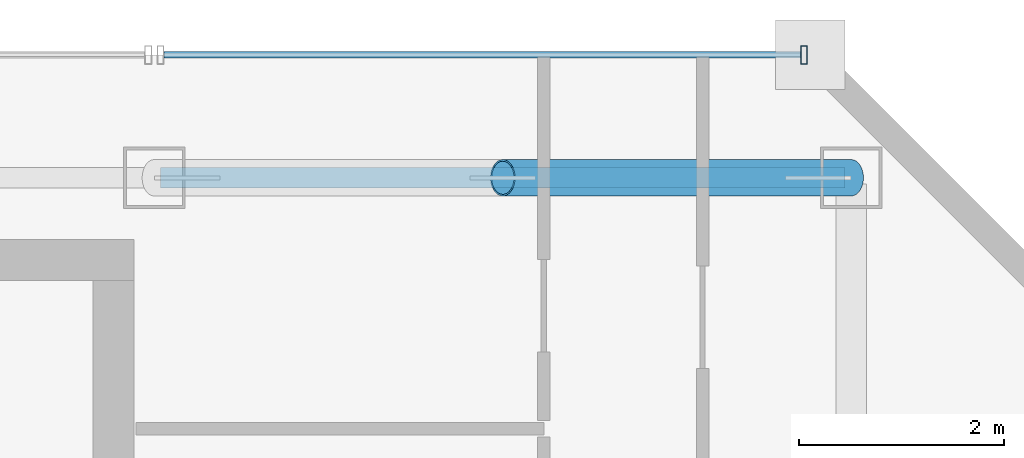
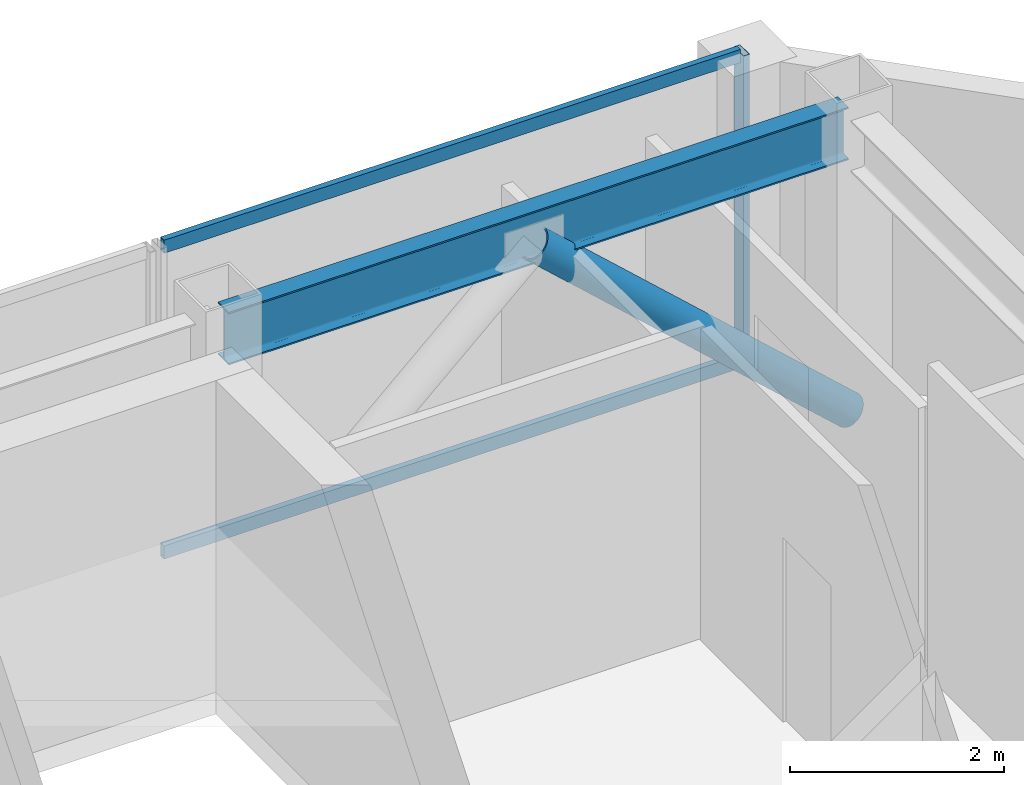
# One storey, part 24 of 32: 4 members, 1 beam, 1 element without a shape of its own.
"""IFC4 building model written with IfcOpenShell, lengths in metres."""

from ifc_helpers import new_model, si_unit, direction, frame, origin, origin_2d, place, context, subcontext, project, spatial, hollow_rectangle, hollow_circle, i_section, extrude, material, material_profile, profile_set, type_object, element, aggregate, save


model = new_model("IFC4")

# Units and contexts
model_context = context("Model", 3, precision=1e-05, world=origin(), true_north=direction((0.0, 1.0)))
body_context = subcontext(model_context, "Body", "Model", "MODEL_VIEW")
ifc_project = project(units=[si_unit("LENGTHUNIT", "METRE"), si_unit("AREAUNIT", "SQUARE_METRE"), si_unit("VOLUMEUNIT", "CUBIC_METRE"), si_unit("PLANEANGLEUNIT", "RADIAN"), si_unit("MASSUNIT", "GRAM", prefix="KILO")], contexts=[model_context])

# Site, building, storey
site_placement = place(None, origin())
site = spatial("IfcSite", under=ifc_project, at=site_placement, CompositionType="ELEMENT")
building_placement = place(site_placement, origin())
building = spatial("IfcBuilding", under=site, at=building_placement, Name="Saevonmaru Cultural Tower", CompositionType="ELEMENT")
storey_placement = place(building_placement, frame((0.0, 0.0, 268.60009765625)))
storey = spatial("IfcBuildingStorey", under=building, at=storey_placement, Name="L63", CompositionType="ELEMENT", Elevation=268.60009765625)

# Beam
ifc_material_1 = material(Name="Steel SM355", Category="steel")
ifc_material_profile_1 = material_profile(ifc_material_1, i_section(OverallWidth=0.199951171875, OverallDepth=0.60009765625, WebThickness=0.010986328125, FlangeThickness=0.01708984375, FilletRadius=0.02197265625, at=origin_2d()), Name="H-600x200x11x17")
ifc_profile_set_1 = profile_set([ifc_material_profile_1], Name="Steel SM355")
beam_type = type_object("IfcBeamType", Name="BM-SP-H600", PredefinedType="SPANDREL", material=ifc_profile_set_1)
beam_placement = place(storey_placement, frame((46.4599609375, 54.800048828125, 3.25), z_axis=(1.0, 0.0, 0.0), x_axis=(0.0, 1.0, 0.0)))
element("IfcBeam", 1, at=beam_placement, inside=storey, type_object=beam_type, Name="L63 North Spine Girder 5", PredefinedType="SPANDREL", context=body_context, shape_type="SweptSolid", body=[
    extrude(i_section(OverallWidth=0.199951171875, OverallDepth=0.60009765625, WebThickness=0.010986328125, FlangeThickness=0.01708984375, FilletRadius=0.02197265625, at=origin_2d()), origin(), (0.0, 0.0, 1.0), 6.679931640625),
])

# Member
ifc_material_profile_2 = material_profile(ifc_material_1, hollow_circle(Radius=0.177734375, WallThickness=0.01611328125, at=origin_2d()), Name="CHS-355.6x16")
ifc_profile_set_2 = profile_set([ifc_material_profile_2], Name="Steel SM355")
member_type_1 = type_object("IfcMemberType", Name="MB-PBR-CHS356", PredefinedType="BRACE", material=ifc_profile_set_2)
member_1_placement = place(storey_placement, frame((53.199951171875, 54.800048828125, 0.02001953125), z_axis=(-0.738962060105, 0.0, 0.673747039864), x_axis=(0.0, -1.0, 0.0)))
element("IfcMember", 2, at=member_1_placement, inside=storey, type_object=member_type_1, Name="L63 Perimeter Braced-Tube Diagonal EN2", PredefinedType="BRACE", context=body_context, shape_type="SweptSolid", body=[
    extrude(hollow_circle(Radius=0.177734375, WallThickness=0.01611328125, at=origin_2d()), origin(), (0.0, 0.0, 1.0), 4.600830078125),
])

# Curtain wall, members
ifc_material_2 = material(Name="Satin Bronze Anodised Aluminium", Category="aluminium")
curtain_wall_type = type_object("IfcCurtainWallType", Name="CW-TYP-B", PredefinedType="NOTDEFINED", material=ifc_material_2)
curtain_wall_placement = place(storey_placement, origin())
curtain_wall = element("IfcCurtainWall", 3, at=curtain_wall_placement, inside=storey, type_object=curtain_wall_type, Name="L63 East Braced Bay Spandrel Curtain Wall E10A", PredefinedType="NOTDEFINED")
ifc_material_profile_3 = material_profile(ifc_material_2, hollow_rectangle(XDim=0.06494140625, YDim=0.179931640625, WallThickness=0.00390625, at=origin_2d()), Name="ALU-MULL-180x65x4")
ifc_profile_set_3 = profile_set([ifc_material_profile_3], Name="Satin Bronze Anodised Aluminium")
member_type_2 = type_object("IfcMemberType", Name="ML-CW-180x65", PredefinedType="MULLION", material=ifc_profile_set_3)
member_2_placement = place(storey_placement, frame((52.739990234375, 56.0, 0.0), z_axis=(0.0, 0.0, 1.0), x_axis=(-1.0, 0.0, 0.0)))
member_2 = element("IfcMember", 4, at=member_2_placement, type_object=member_type_2, Name="CW-TW-L63-E10A mullion 1", PredefinedType="MULLION", context=body_context, shape_type="SweptSolid", body=[
    extrude(hollow_rectangle(XDim=0.06494140625, YDim=0.179931640625, WallThickness=0.00390625, at=origin_2d()), origin(), (0.0, 0.0, 1.0), 3.5498046875),
])
ifc_material_profile_4 = material_profile(ifc_material_2, hollow_rectangle(XDim=0.06494140625, YDim=0.14990234375, WallThickness=0.00390625, at=origin_2d()), Name="ALU-TRAN-150x65x4")
ifc_profile_set_4 = profile_set([ifc_material_profile_4], Name="Satin Bronze Anodised Aluminium")
member_type_3 = type_object("IfcMemberType", Name="TR-CW-150x65", PredefinedType="USERDEFINED", material=ifc_profile_set_4)
member_3_placement = place(storey_placement, frame((52.70751953125, 56.0, 0.032470703125), z_axis=(-1.0, 0.0, 0.0), x_axis=(0.0, -1.0, 0.0)))
member_3 = element("IfcMember", 5, at=member_3_placement, type_object=member_type_3, Name="CW-TW-L63-E10A transom 1.1", ObjectType="TRANSOM", PredefinedType="USERDEFINED", context=body_context, shape_type="SweptSolid", body=[
    extrude(hollow_rectangle(XDim=0.06494140625, YDim=0.14990234375, WallThickness=0.00390625, at=origin_2d()), origin(), (0.0, 0.0, 1.0), 6.215087890625),
])
member_4_placement = place(storey_placement, frame((52.70751953125, 56.0, 3.517333984375), z_axis=(-1.0, 0.0, 0.0), x_axis=(0.0, -1.0, 0.0)))
member_4 = element("IfcMember", 6, at=member_4_placement, type_object=member_type_3, Name="CW-TW-L63-E10A transom 1.2", ObjectType="TRANSOM", PredefinedType="USERDEFINED", context=body_context, shape_type="SweptSolid", body=[
    extrude(hollow_rectangle(XDim=0.06494140625, YDim=0.14990234375, WallThickness=0.00390625, at=origin_2d()), origin(), (0.0, 0.0, 1.0), 6.215087890625),
])
aggregate(curtain_wall, [member_2, member_3, member_4])

save(model, "model.ifc")
